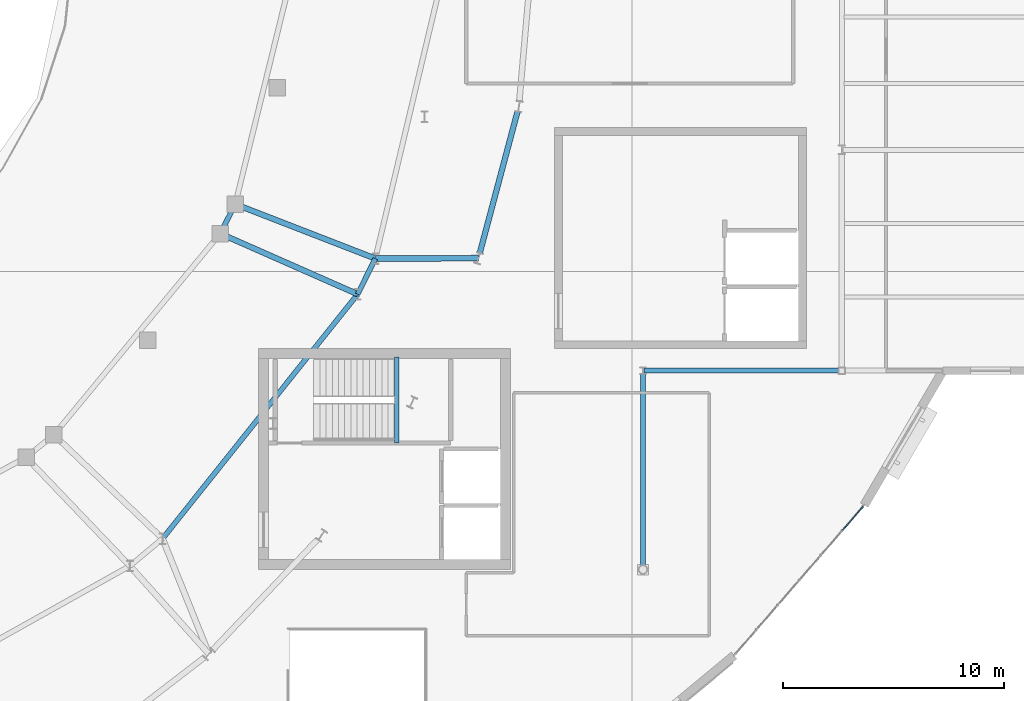
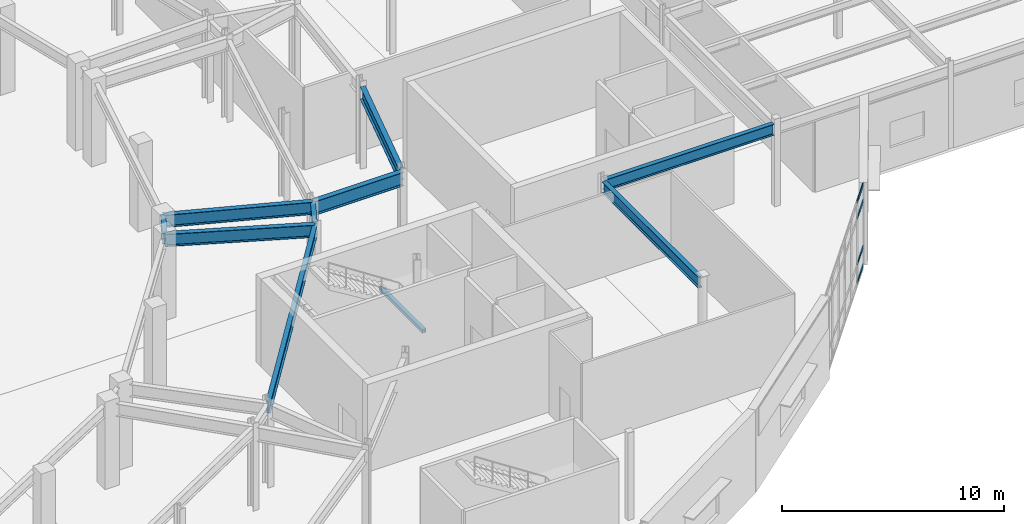
# One storey, part 49 of 86: 10 beams, 4 members, 1 element without a shape of its own.
"""IFC4 building model written with IfcOpenShell, lengths in metres."""

from ifc_helpers import new_model, si_unit, direction, frame, origin, origin_2d, place, context, subcontext, project, spatial, rectangle, hollow_rectangle, i_section, extrude, material, material_profile, profile_set, type_object, element, aggregate, save


model = new_model("IFC4")

# Units and contexts
model_context = context("Model", 3, precision=1e-05, world=origin(), true_north=direction((0.0, 1.0)))
body_context = subcontext(model_context, "Body", "Model", "MODEL_VIEW")
ifc_project = project(units=[si_unit("LENGTHUNIT", "METRE"), si_unit("AREAUNIT", "SQUARE_METRE"), si_unit("VOLUMEUNIT", "CUBIC_METRE"), si_unit("PLANEANGLEUNIT", "RADIAN"), si_unit("MASSUNIT", "GRAM", prefix="KILO")], contexts=[model_context])

# Site, building, storey
site_placement = place(None, origin())
site = spatial("IfcSite", under=ifc_project, at=site_placement, CompositionType="ELEMENT")
building_placement = place(site_placement, origin())
building = spatial("IfcBuilding", under=site, at=building_placement, Name="Glasvene Arena", CompositionType="ELEMENT")
storey_placement = place(building_placement, frame((0.0, 0.0, 5.39990234375)))
storey = spatial("IfcBuildingStorey", under=building, at=storey_placement, Name="L01", CompositionType="ELEMENT", Elevation=5.39990234375)

# Beams
ifc_material_1 = material(Name="Steel S355J2", Category="steel")
ifc_material_profile_1 = material_profile(ifc_material_1, i_section(OverallWidth=0.228271484375, OverallDepth=0.607666015625, WebThickness=0.010986328125, FlangeThickness=0.017333984375, FilletRadius=0.0126953125, at=origin_2d()), Name="UKB 610x229x113")
ifc_profile_set_1 = profile_set([ifc_material_profile_1], Name="Steel S355J2")
beam_type_1 = type_object("IfcBeamType", Name="BM-GIRD-610", PredefinedType="BEAM", material=ifc_profile_set_1)
beam_1_placement = place(storey_placement, frame((147.050048828125, 54.0, 4.21630859375), z_axis=(1.0, 0.0, 0.0), x_axis=(0.0, 1.0, 0.0)))
element("IfcBeam", 1, at=beam_1_placement, inside=storey, type_object=beam_type_1, Name="Primary X girder L01-0558", PredefinedType="BEAM", context=body_context, shape_type="SweptSolid", body=[
    extrude(i_section(OverallWidth=0.228271484375, OverallDepth=0.607666015625, WebThickness=0.010986328125, FlangeThickness=0.017333984375, FilletRadius=0.0126953125, at=origin_2d()), origin(), (0.0, 0.0, 1.0), 8.804931640625),
])
beam_2_placement = place(storey_placement, frame((147.0, 45.1982421875, 4.21630859375), z_axis=(0.0, 1.0, 0.0), x_axis=(-1.0, 0.0, 0.0)))
element("IfcBeam", 2, at=beam_2_placement, inside=storey, type_object=beam_type_1, Name="Primary Y girder L01-0650", PredefinedType="BEAM", context=body_context, shape_type="SweptSolid", body=[
    extrude(i_section(OverallWidth=0.228271484375, OverallDepth=0.607666015625, WebThickness=0.010986328125, FlangeThickness=0.017333984375, FilletRadius=0.0126953125, at=origin_2d()), origin(), (0.0, 0.0, 1.0), 8.646484375),
])
beam_3_placement = place(storey_placement, frame((125.256591796875, 46.40087890625, 4.215087890625), z_axis=(0.623899670594, 0.781504447226, 0.0), x_axis=(-0.781504447226, 0.623899670594, 0.0)))
element("IfcBeam", 3, at=beam_3_placement, inside=storey, type_object=beam_type_1, Name="Concourse inner ring girder L01-29", PredefinedType="BEAM", context=body_context, shape_type="SweptSolid", body=[
    extrude(i_section(OverallWidth=0.228271484375, OverallDepth=0.607666015625, WebThickness=0.010986328125, FlangeThickness=0.017333984375, FilletRadius=0.0126953125, at=origin_2d()), origin(), (0.0, 0.0, 1.0), 14.1552734375),
])
beam_4_placement = place(storey_placement, frame((134.088134765625, 57.46337890625, 4.215087890625), z_axis=(0.443576698242, 0.896236415672, 0.0), x_axis=(-0.896236415672, 0.443576698242, 0.0)))
element("IfcBeam", 4, at=beam_4_placement, inside=storey, type_object=beam_type_1, Name="Concourse inner ring girder L01-30", PredefinedType="BEAM", context=body_context, shape_type="SweptSolid", body=[
    extrude(i_section(OverallWidth=0.228271484375, OverallDepth=0.607666015625, WebThickness=0.010986328125, FlangeThickness=0.017333984375, FilletRadius=0.0126953125, at=origin_2d()), origin(), (0.0, 0.0, 1.0), 1.80078125),
])
beam_5_placement = place(storey_placement, frame((127.866455078125, 60.20751953125, 4.215087890625), z_axis=(0.455825325707, 0.890069251488, 0.0), x_axis=(-0.890069251488, 0.455825325707, 0.0)))
element("IfcBeam", 5, at=beam_5_placement, inside=storey, type_object=beam_type_1, Name="Mid-bowl ring girder L01-30", PredefinedType="BEAM", context=body_context, shape_type="SweptSolid", body=[
    extrude(i_section(OverallWidth=0.228271484375, OverallDepth=0.607666015625, WebThickness=0.010986328125, FlangeThickness=0.017333984375, FilletRadius=0.0126953125, at=origin_2d()), origin(), (0.0, 0.0, 1.0), 1.4931640625),
])
ifc_material_profile_2 = material_profile(ifc_material_1, i_section(OverallWidth=0.253662109375, OverallDepth=0.68359375, WebThickness=0.012451171875, FlangeThickness=0.01904296875, FilletRadius=0.01513671875, at=origin_2d()), Name="UKB 686x254x140")
ifc_profile_set_2 = profile_set([ifc_material_profile_2], Name="Steel S355J2")
beam_type_2 = type_object("IfcBeamType", Name="BM-GIRD-686", PredefinedType="BEAM", material=ifc_profile_set_2)
beam_6_placement = place(storey_placement, frame((139.61474609375, 59.326171875, 4.178466796875), z_axis=(0.257729153992, 0.966217202901, 0.0), x_axis=(-0.966217202901, 0.257729153992, 0.0)))
element("IfcBeam", 6, at=beam_6_placement, inside=storey, type_object=beam_type_2, Name="Bowl ring chord beam L01-39", PredefinedType="BEAM", context=body_context, shape_type="SweptSolid", body=[
    extrude(i_section(OverallWidth=0.253662109375, OverallDepth=0.68359375, WebThickness=0.012451171875, FlangeThickness=0.01904296875, FilletRadius=0.01513671875, at=origin_2d()), origin(), (0.0, 0.0, 1.0), 6.626220703125),
])
for number, where, z_axis, x_axis, name in (
    (7, (127.866455078125, 60.20751953125, 4.17822265625), (0.914956794247, -0.40355181162, 0.0), (0.40355181162, 0.914956794247, 0.0), "Mid-to-rear radial girder L01-30"),
    (8, (128.547119140625, 61.53662109375, 4.17822265625), (0.932315610983, -0.361645685052, 0.0), (0.361645685052, 0.932315610983, 0.0), "Mid-to-rear radial girder L01-31"),
):
    element("IfcBeam", number, at=place(storey_placement, frame(where, z_axis=z_axis, x_axis=x_axis)), inside=storey, type_object=beam_type_2, Name=name, PredefinedType="BEAM", context=body_context, shape_type="SweptSolid", body=[
        extrude(i_section(OverallWidth=0.253662109375, OverallDepth=0.68359375, WebThickness=0.012451171875, FlangeThickness=0.01904296875, FilletRadius=0.01513671875, at=origin_2d()), origin(), (0.0, 0.0, 1.0), 6.800048828125),
    ])
ifc_material_profile_3 = material_profile(ifc_material_1, i_section(OverallWidth=0.2666015625, OverallDepth=0.76220703125, WebThickness=0.014404296875, FlangeThickness=0.021484375, FilletRadius=0.0166015625, at=origin_2d()), Name="UKB 762x267x173")
ifc_profile_set_3 = profile_set([ifc_material_profile_3], Name="Steel S355J2")
beam_type_3 = type_object("IfcBeamType", Name="BM-GIRD-762", PredefinedType="BEAM", material=ifc_profile_set_3)
beam_7_placement = place(storey_placement, frame((134.886962890625, 59.077392578125, 4.138916015625), z_axis=(0.999993482259, 0.003610462575, 0.0), x_axis=(-0.003610462575, 0.999993482259, 0.0)))
element("IfcBeam", 9, at=beam_7_placement, inside=storey, type_object=beam_type_3, Name="Radial concourse girder L01-31", PredefinedType="BEAM", context=body_context, shape_type="SweptSolid", body=[
    extrude(i_section(OverallWidth=0.2666015625, OverallDepth=0.76220703125, WebThickness=0.014404296875, FlangeThickness=0.021484375, FilletRadius=0.0166015625, at=origin_2d()), origin(), (0.0, 0.0, 1.0), 4.665771484375),
])
ifc_material_profile_4 = material_profile(ifc_material_1, hollow_rectangle(XDim=0.199951171875, YDim=0.199951171875, WallThickness=0.010009765625, at=origin_2d()), Name="SHS 200x200x10.0")
ifc_profile_set_4 = profile_set([ifc_material_profile_4], Name="Steel S355J2")
beam_type_4 = type_object("IfcBeamType", Name="BM-LINTEL-200", PredefinedType="LINTEL", material=ifc_profile_set_4)
beam_8_placement = place(storey_placement, frame((135.860107421875, 50.72998046875, 2.080078125), z_axis=(0.0, 1.0, 0.0), x_axis=(-1.0, 0.0, 0.0)))
element("IfcBeam", 10, at=beam_8_placement, inside=storey, type_object=beam_type_4, Name="Stair half-landing support beam ST-04-L01", PredefinedType="LINTEL", context=body_context, shape_type="SweptSolid", body=[
    extrude(hollow_rectangle(XDim=0.199951171875, YDim=0.199951171875, WallThickness=0.010009765625, at=origin_2d()), origin(), (0.0, 0.0, 1.0), 3.89013671875),
])

# Curtain wall, members
ifc_material_2 = material(Name="Low-emissivity laminated double glazing", Category="glass")
curtain_wall_type = type_object("IfcCurtainWallType", Name="CW-FAC-L01-892x446", PredefinedType="USERDEFINED", material=ifc_material_2)
curtain_wall_placement = place(storey_placement, frame((156.99267578125, 47.884521484375, 0.0)))
curtain_wall = element("IfcCurtainWall", 11, at=curtain_wall_placement, inside=storey, type_object=curtain_wall_type, Name="Unitised curtain wall CW-F-L01-180-1541-445-34", ObjectType="CURTAIN WALL", PredefinedType="USERDEFINED")
ifc_material_3 = material(Name="Anodised architectural aluminium", Category="aluminium")
ifc_material_profile_5 = material_profile(ifc_material_3, rectangle(XDim=0.050048828125, YDim=0.14990234375, at=origin_2d()), Name="ALU TRANSOM 50x150")
ifc_profile_set_5 = profile_set([ifc_material_profile_5], Name="Anodised architectural aluminium")
member_type = type_object("IfcMemberType", Name="CW-TRN-150", PredefinedType="USERDEFINED", material=ifc_profile_set_5)
member_1_placement = place(storey_placement, frame((156.9599609375, 47.8466796875, 0.085205078125), z_axis=(-0.654614431015, -0.755962926807, 0.0), x_axis=(0.755962926807, -0.654614431015, 0.0)))
member_1 = element("IfcMember", 12, at=member_1_placement, type_object=member_type, Name="CW-010 transom 1.1", ObjectType="TRANSOM", PredefinedType="USERDEFINED", context=body_context, shape_type="SweptSolid", body=[
    extrude(rectangle(XDim=0.050048828125, YDim=0.14990234375, at=origin_2d()), origin(), (0.0, 0.0, 1.0), 1.41162109375),
])
member_2_placement = place(storey_placement, frame((156.9599609375, 47.8466796875, 1.10009765625), z_axis=(-0.654614431015, -0.755962926807, 0.0), x_axis=(0.755962926807, -0.654614431015, 0.0)))
member_2 = element("IfcMember", 13, at=member_2_placement, type_object=member_type, Name="CW-010 transom 1.2", ObjectType="TRANSOM", PredefinedType="USERDEFINED", context=body_context, shape_type="SweptSolid", body=[
    extrude(rectangle(XDim=0.050048828125, YDim=0.14990234375, at=origin_2d()), origin(), (0.0, 0.0, 1.0), 1.41162109375),
])
member_3_placement = place(storey_placement, frame((156.9599609375, 47.8466796875, 3.6201171875), z_axis=(-0.654614431015, -0.755962926807, 0.0), x_axis=(0.755962926807, -0.654614431015, 0.0)))
member_3 = element("IfcMember", 14, at=member_3_placement, type_object=member_type, Name="CW-010 transom 1.3", ObjectType="TRANSOM", PredefinedType="USERDEFINED", context=body_context, shape_type="SweptSolid", body=[
    extrude(rectangle(XDim=0.050048828125, YDim=0.14990234375, at=origin_2d()), origin(), (0.0, 0.0, 1.0), 1.41162109375),
])
member_4_placement = place(storey_placement, frame((156.9599609375, 47.8466796875, 4.4951171875), z_axis=(-0.654614431015, -0.755962926807, 0.0), x_axis=(0.755962926807, -0.654614431015, 0.0)))
member_4 = element("IfcMember", 15, at=member_4_placement, type_object=member_type, Name="CW-010 transom 1.4", ObjectType="TRANSOM", PredefinedType="USERDEFINED", context=body_context, shape_type="SweptSolid", body=[
    extrude(rectangle(XDim=0.050048828125, YDim=0.14990234375, at=origin_2d()), origin(), (0.0, 0.0, 1.0), 1.41162109375),
])
aggregate(curtain_wall, [member_1, member_2, member_3, member_4])

save(model, "model.ifc")
